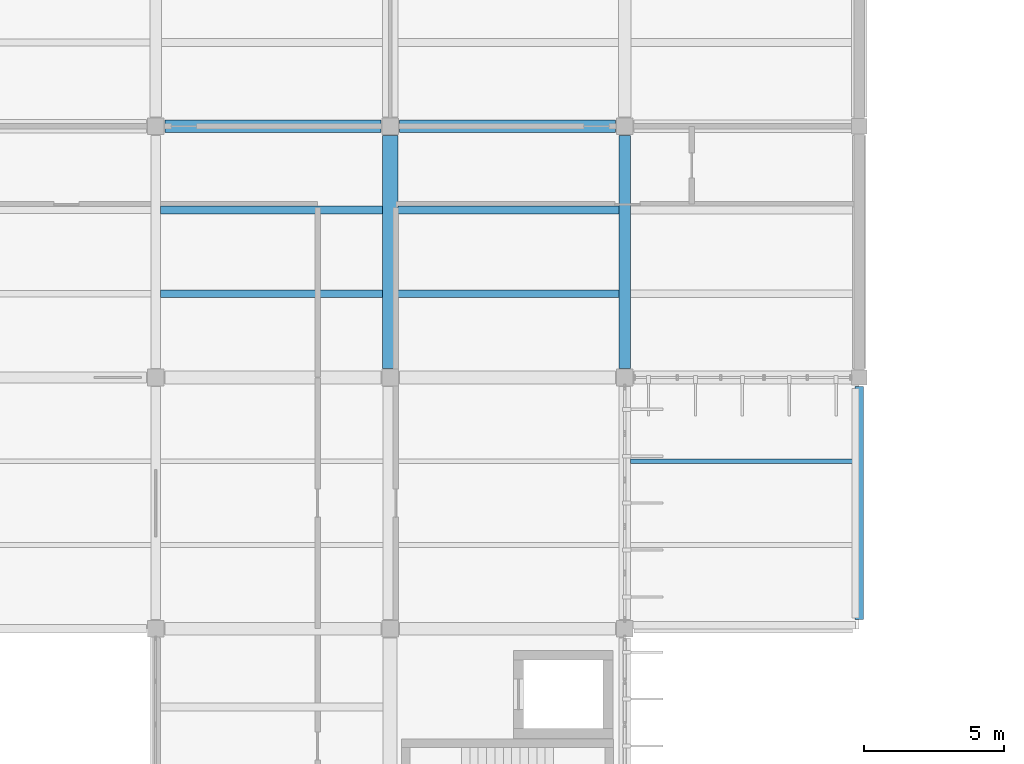
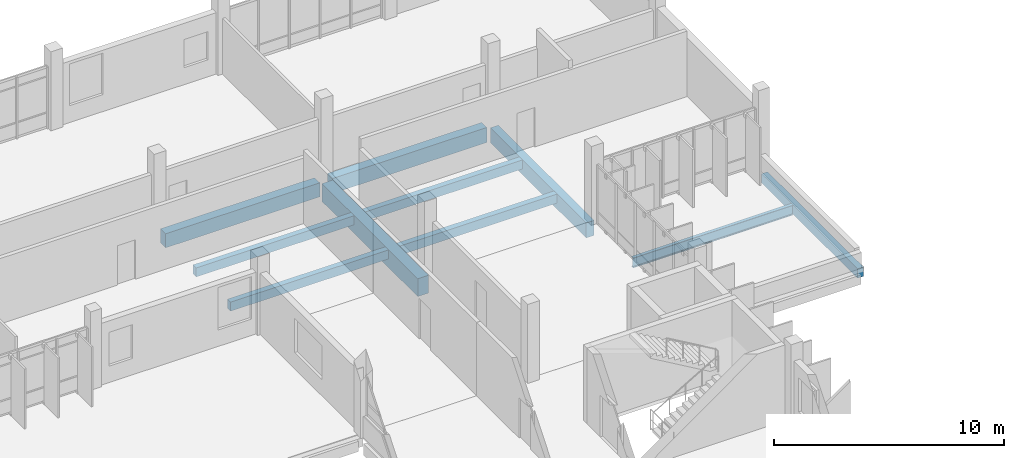
# One storey, part 77 of 130: 10 beams.
"""IFC4 building model written with IfcOpenShell, lengths in metres."""

from ifc_helpers import new_model, si_unit, direction, frame, origin, origin_2d, place, context, subcontext, project, spatial, rectangle, i_section, extrude, material, material_profile, profile_set, type_object, element, save


model = new_model("IFC4")

# Units and contexts
model_context = context("Model", 3, precision=1e-05, world=origin(), true_north=direction((0.0, 1.0)))
body_context = subcontext(model_context, "Body", "Model", "MODEL_VIEW")
ifc_project = project(units=[si_unit("LENGTHUNIT", "METRE"), si_unit("AREAUNIT", "SQUARE_METRE"), si_unit("VOLUMEUNIT", "CUBIC_METRE"), si_unit("PLANEANGLEUNIT", "RADIAN"), si_unit("MASSUNIT", "GRAM", prefix="KILO")], contexts=[model_context])

# Site, building, storey
site_placement = place(None, origin())
site = spatial("IfcSite", under=ifc_project, at=site_placement, CompositionType="ELEMENT")
building_placement = place(site_placement, origin())
building = spatial("IfcBuilding", under=site, at=building_placement, Name="Vireocrest Preparatory School", CompositionType="ELEMENT")
storey_placement = place(building_placement, frame((0.0, 0.0, 9.0)))
storey = spatial("IfcBuildingStorey", under=building, at=storey_placement, Name="L02", CompositionType="ELEMENT", Elevation=9.0)

# Beams
ifc_material_1 = material(Name="Structural steel ASTM A992 Grade 50", Category="steel")
ifc_material_profile_1 = material_profile(ifc_material_1, i_section(OverallWidth=0.166015625, OverallDepth=0.529052734375, WebThickness=0.009765625, FlangeThickness=0.013671875, FilletRadius=0.014892578125, at=origin_2d()), Name="W21X50")
ifc_profile_set_1 = profile_set([ifc_material_profile_1], Name="Structural steel ASTM A992 Grade 50")
beam_type_1 = type_object("IfcBeamType", Name="Pavilion Roof Joist W21X50", PredefinedType="JOIST", material=ifc_profile_set_1)
beam_1_placement = place(storey_placement, frame((109.39990234375, 91.800048828125, -0.484619140625), z_axis=(1.0, 0.0, 0.0), x_axis=(0.0, 1.0, 0.0)))
element("IfcBeam", 1, at=beam_1_placement, inside=storey, type_object=beam_type_1, Name="Secondary Joist SJ1 L02-1011", PredefinedType="JOIST", context=body_context, shape_type="SweptSolid", body=[
    extrude(i_section(OverallWidth=0.166015625, OverallDepth=0.529052734375, WebThickness=0.009765625, FlangeThickness=0.013671875, FilletRadius=0.014892578125, at=origin_2d()), origin(), (0.0, 0.0, 1.0), 8.050048828125),
])
ifc_material_2 = material(Name="Concrete 40 MPa", Category="concrete")
ifc_material_profile_2 = material_profile(ifc_material_2, rectangle(XDim=0.39990234375, YDim=0.800048828125, at=origin_2d()), Name="RC 400x800")
ifc_profile_set_2 = profile_set([ifc_material_profile_2], Name="Concrete 40 MPa")
beam_type_2 = type_object("IfcBeamType", Name="RC Library Reading Girder 400x800", PredefinedType="BEAM", material=ifc_profile_set_2)
beam_2_placement = place(storey_placement, frame((109.199951171875, 95.125, -0.679931640625), z_axis=(0.0, 1.0, 0.0), x_axis=(-1.0, 0.0, 0.0)))
element("IfcBeam", 2, at=beam_2_placement, inside=storey, type_object=beam_type_2, Name="Primary Girder B10 L02-0867", PredefinedType="BEAM", context=body_context, shape_type="SweptSolid", body=[
    extrude(rectangle(XDim=0.39990234375, YDim=0.800048828125, at=origin_2d()), origin(), (0.0, 0.0, 1.0), 8.35009765625),
])
ifc_material_profile_3 = material_profile(ifc_material_2, rectangle(XDim=0.449951171875, YDim=0.75, at=origin_2d()), Name="RC 450x750")
ifc_profile_set_3 = profile_set([ifc_material_profile_3], Name="Concrete 40 MPa")
beam_type_3 = type_object("IfcBeamType", Name="RC Library Stack Girder 450x750", PredefinedType="BEAM", material=ifc_profile_set_3)
beam_3_placement = place(storey_placement, frame((92.72509765625, 103.800048828125, -0.655029296875), z_axis=(1.0, 0.0, 0.0), x_axis=(0.0, 1.0, 0.0)))
element("IfcBeam", 3, at=beam_3_placement, inside=storey, type_object=beam_type_3, Name="Primary Girder B11 L02-0771", PredefinedType="BEAM", context=body_context, shape_type="SweptSolid", body=[
    extrude(rectangle(XDim=0.449951171875, YDim=0.75, at=origin_2d()), origin(), (0.0, 0.0, 1.0), 7.75),
])
ifc_material_profile_4 = material_profile(ifc_material_2, rectangle(XDim=0.449951171875, YDim=0.800048828125, at=origin_2d()), Name="RC 450x800")
ifc_profile_set_4 = profile_set([ifc_material_profile_4], Name="Concrete 40 MPa")
beam_type_4 = type_object("IfcBeamType", Name="RC Library Stack Girder 450x800", PredefinedType="BEAM", material=ifc_profile_set_4)
beam_4_placement = place(storey_placement, frame((101.125, 103.800048828125, -0.679931640625), z_axis=(1.0, 0.0, 0.0), x_axis=(0.0, 1.0, 0.0)))
element("IfcBeam", 4, at=beam_4_placement, inside=storey, type_object=beam_type_4, Name="Primary Girder B12 L02-0772", PredefinedType="BEAM", context=body_context, shape_type="SweptSolid", body=[
    extrude(rectangle(XDim=0.449951171875, YDim=0.800048828125, at=origin_2d()), origin(), (0.0, 0.0, 1.0), 7.75),
])
ifc_material_profile_5 = material_profile(ifc_material_2, rectangle(XDim=0.300048828125, YDim=0.5, at=origin_2d()), Name="RC 300x500")
ifc_profile_set_5 = profile_set([ifc_material_profile_5], Name="Concrete 40 MPa")
beam_type_5 = type_object("IfcBeamType", Name="RC Roof Edge Beam 300x500", PredefinedType="BEAM", material=ifc_profile_set_5)
beam_5_placement = place(storey_placement, frame((117.60009765625, 86.125, -0.469970703125), z_axis=(0.0, 1.0, 0.0), x_axis=(-1.0, 0.0, 0.0)))
element("IfcBeam", 5, at=beam_5_placement, inside=storey, type_object=beam_type_5, Name="Primary Girder B01 L02-0872", PredefinedType="BEAM", context=body_context, shape_type="SweptSolid", body=[
    extrude(rectangle(XDim=0.300048828125, YDim=0.5, at=origin_2d()), origin(), (0.0, 0.0, 1.0), 8.35009765625),
])
ifc_material_profile_6 = material_profile(ifc_material_2, rectangle(XDim=0.280029296875, YDim=0.47998046875, at=origin_2d()), Name="RC 280x480")
ifc_profile_set_6 = profile_set([ifc_material_profile_6], Name="Concrete 40 MPa")
beam_type_6 = type_object("IfcBeamType", Name="RC Secondary Lab Joist 280x480", PredefinedType="JOIST", material=ifc_profile_set_6)
for number, where, z_axis, x_axis, name in (
    (6, (92.574951171875, 97.800048828125, -0.52001953125), (1.0, 0.0, 0.0), (0.0, 1.0, 0.0), "Secondary Joist J02 L02-0984"),
    (7, (92.574951171875, 100.800048828125, -0.52001953125), (1.0, 0.0, 0.0), (0.0, 1.0, 0.0), "Secondary Joist J02 L02-0985"),
):
    element("IfcBeam", number, at=place(storey_placement, frame(where, z_axis=z_axis, x_axis=x_axis)), inside=storey, type_object=beam_type_6, Name=name, PredefinedType="JOIST", context=body_context, shape_type="SweptSolid", body=[
        extrude(rectangle(XDim=0.280029296875, YDim=0.47998046875, at=origin_2d()), origin(), (0.0, 0.0, 1.0), 7.949951171875),
    ])
for number, where, z_axis, x_axis, name in (
    (8, (101.074951171875, 97.800048828125, -0.52001953125), (1.0, 0.0, 0.0), (0.0, 1.0, 0.0), "Secondary Joist J02 L02-1000"),
    (9, (101.074951171875, 100.800048828125, -0.52001953125), (1.0, 0.0, 0.0), (0.0, 1.0, 0.0), "Secondary Joist J02 L02-1001"),
):
    element("IfcBeam", number, at=place(storey_placement, frame(where, z_axis=z_axis, x_axis=x_axis)), inside=storey, type_object=beam_type_6, Name=name, PredefinedType="JOIST", context=body_context, shape_type="SweptSolid", body=[
        extrude(rectangle(XDim=0.280029296875, YDim=0.47998046875, at=origin_2d()), origin(), (0.0, 0.0, 1.0), 7.925048828125),
    ])
ifc_material_profile_7 = material_profile(ifc_material_2, rectangle(XDim=0.550048828125, YDim=0.949951171875, at=origin_2d()), Name="RC 550x950")
ifc_profile_set_7 = profile_set([ifc_material_profile_7], Name="Concrete 40 MPa")
beam_type_7 = type_object("IfcBeamType", Name="RC Setback Edge Girder 550x950", PredefinedType="BEAM", material=ifc_profile_set_7)
beam_6_placement = place(storey_placement, frame((100.800048828125, 95.125, -0.7548828125), z_axis=(0.0, 1.0, 0.0), x_axis=(-1.0, 0.0, 0.0)))
element("IfcBeam", 10, at=beam_6_placement, inside=storey, type_object=beam_type_7, Name="Primary Girder B17 L02-0856", PredefinedType="BEAM", context=body_context, shape_type="SweptSolid", body=[
    extrude(rectangle(XDim=0.550048828125, YDim=0.949951171875, at=origin_2d()), origin(), (0.0, 0.0, 1.0), 8.35009765625),
])

save(model, "model.ifc")
